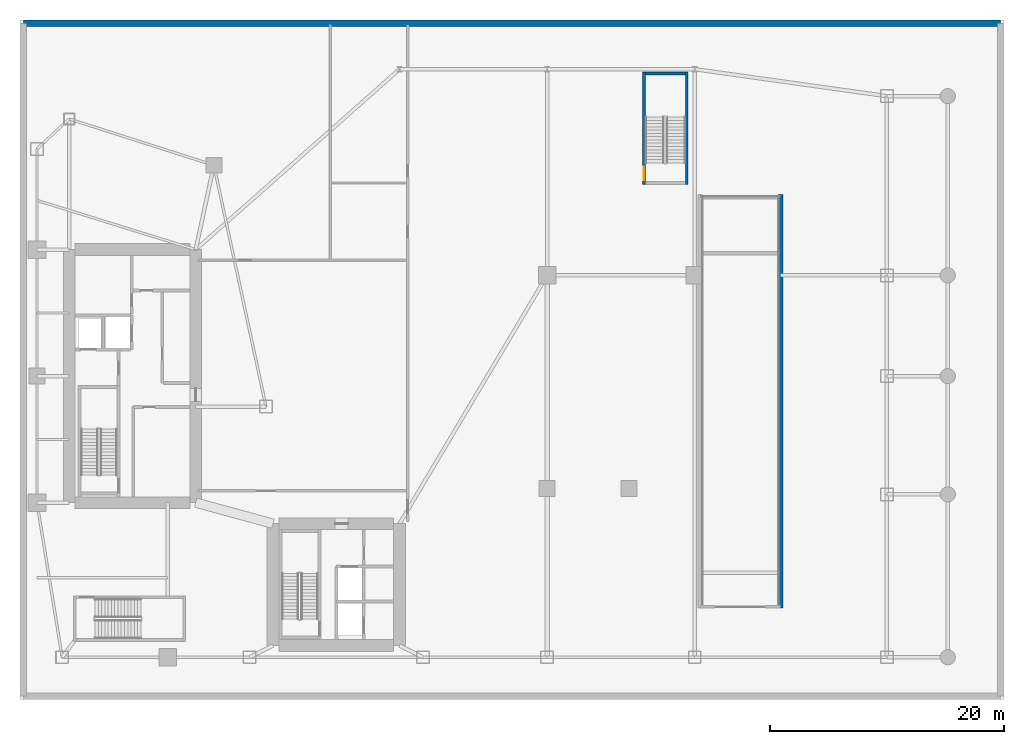
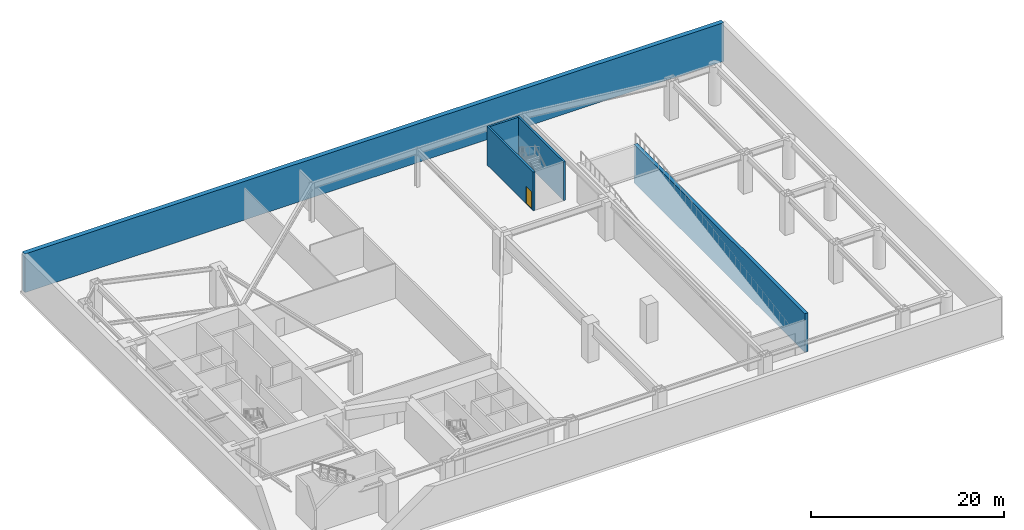
# One storey, part 8 of 13: 5 walls, 1 door, 1 opening.
"""IFC4 building model written with IfcOpenShell, lengths in metres."""

import ifcopenshell
import ifcopenshell.guid

model = None  # the IFC model being written
_history = None  # IfcOwnerHistory: only IFC2X3 demands one
_inside = {}  # id of a spatial element -> (the spatial element, [elements in it])
_under = {}  # id of a project, library or spatial element -> (it, [spatial elements below it])
_declared = {}  # id of a project -> (the project, [libraries it declares])
_typed = {}  # id of a type object -> (the type object, [elements of that type])
_made_of = {}  # id of a material, layer set ... -> (it, [elements and type objects made of it])


def new_model(schema):
    """Start an empty IFC model of exactly this schema.

    Asked for "IFC4X3", IfcOpenShell would pick the latest addendum, in which some entities
    have other attributes; the version numbers below select the first issue.
    IFC2X3 requires an IfcOwnerHistory on every rooted entity: one is made here for all.
    """
    global model, _history
    if schema == "IFC4X3":
        model = ifcopenshell.file(schema_version=(4, 3, 0, 0))
    else:
        model = ifcopenshell.file(schema=schema)
    _inside.clear()
    _under.clear()
    _declared.clear()
    _typed.clear()
    _made_of.clear()
    _history = None
    if model.schema == "IFC2X3":
        org = make("IfcOrganization", Name="unknown")
        user = make(
            "IfcPersonAndOrganization",
            ThePerson=make("IfcPerson", FamilyName="unknown"),
            TheOrganization=org,
        )
        app = make(
            "IfcApplication",
            ApplicationDeveloper=org,
            Version="unknown",
            ApplicationFullName="unknown",
            ApplicationIdentifier="unknown",
        )
        _history = make(
            "IfcOwnerHistory",
            OwningUser=user,
            OwningApplication=app,
            ChangeAction="ADDED",
            CreationDate=0,
        )
    return model


def make(cls, **values):
    """One entity of the class cls with the attributes given. An attribute that is None is left unset."""
    return model.create_entity(
        cls, **{name: value for name, value in values.items() if value is not None}
    )


def rooted(cls, **values):
    """An entity with a GlobalId (a new one), such as an element, a storey or a relation."""
    return make(cls, GlobalId=ifcopenshell.guid.new(), OwnerHistory=_history, **values)


def si_unit(unit_type, name, prefix=None):
    """IfcSIUnit, for example si_unit("LENGTHUNIT", "METRE", prefix="MILLI")."""
    return make("IfcSIUnit", UnitType=unit_type, Prefix=prefix, Name=name)


def assignment(units):
    """IfcUnitAssignment: the units of a project."""
    return None if units is None else make("IfcUnitAssignment", Units=units)


def point(xyz):
    """IfcCartesianPoint."""
    return None if xyz is None else make("IfcCartesianPoint", Coordinates=xyz)


def direction(xyz):
    """IfcDirection."""
    return None if xyz is None else make("IfcDirection", DirectionRatios=xyz)


def frame(location, z_axis=None, x_axis=None):
    """IfcAxis2Placement3D, a coordinate frame: its origin and axes. An axis left out is left unset."""
    return make(
        "IfcAxis2Placement3D",
        Location=point(location),
        Axis=direction(z_axis),
        RefDirection=direction(x_axis),
    )


def frame_2d(location, x_axis=None):
    """IfcAxis2Placement2D, a coordinate frame in the plane: its origin and x axis."""
    return make(
        "IfcAxis2Placement2D", Location=point(location), RefDirection=direction(x_axis)
    )


def origin():
    """The frame at (0, 0, 0) with its axes left unset."""
    return frame((0.0, 0.0, 0.0))


def place(relative_to, where):
    """IfcLocalPlacement: puts the frame where relative to a parent placement (None: the world)."""
    return make(
        "IfcLocalPlacement", PlacementRelTo=relative_to, RelativePlacement=where
    )


def context(
    kind, dimensions, precision=None, world=None, true_north=None, identifier=None
):
    """IfcGeometricRepresentationContext, for example the 3D "Model" context."""
    return make(
        "IfcGeometricRepresentationContext",
        ContextIdentifier=identifier,
        ContextType=kind,
        CoordinateSpaceDimension=dimensions,
        Precision=precision,
        WorldCoordinateSystem=world,
        TrueNorth=true_north,
    )


def subcontext(parent, identifier, kind, view, scale=None):
    """IfcGeometricRepresentationSubContext, for example "Body" below "Model"."""
    return make(
        "IfcGeometricRepresentationSubContext",
        ContextIdentifier=identifier,
        ContextType=kind,
        ParentContext=parent,
        TargetScale=scale,
        TargetView=view,
    )


def project(units=None, contexts=None):
    """IfcProject with its units and contexts."""
    return rooted(
        "IfcProject",
        Name="project",
        RepresentationContexts=contexts,
        UnitsInContext=assignment(units),
    )


def spatial(cls, under=None, at=None, **own):
    """A site, building, storey or space (cls), placed at a placement, below another one or the project."""
    s = rooted(cls, ObjectPlacement=at, **own)
    if under is not None:
        _under.setdefault(under.id(), (under, []))[1].append(s)
    return s


def profile(cls, at=None, kind="AREA", **sizes):
    """A parametric profile (cls). Its sizes go by their IFC names, for example OverallWidth=200.0."""
    return make(cls, ProfileType=kind, Position=at, **sizes)


def rectangle(**sizes):
    """IfcRectangleProfileDef."""
    return profile("IfcRectangleProfileDef", **sizes)


def extrude(swept, where, along, depth):
    """IfcExtrudedAreaSolid: the profile swept, set in the frame where, extruded along a direction by depth."""
    return make(
        "IfcExtrudedAreaSolid",
        SweptArea=swept,
        Position=where,
        ExtrudedDirection=direction(along),
        Depth=depth,
    )


def shape(context_of_items, identifier, shape_type, items):
    """IfcShapeRepresentation: the items that make up one representation, for example the "Body"."""
    return make(
        "IfcShapeRepresentation",
        ContextOfItems=context_of_items,
        RepresentationIdentifier=identifier,
        RepresentationType=shape_type,
        Items=items,
    )


def material(Name=None, Category=None):
    """IfcMaterial."""
    return make("IfcMaterial", Name=Name, Category=Category)


def layer(
    of_material, thickness, ventilated=None, Name=None, Category=None, Priority=None
):
    """IfcMaterialLayer: one layer of a wall or slab, of a material (None: an air gap)."""
    return make(
        "IfcMaterialLayer",
        Material=of_material,
        LayerThickness=thickness,
        IsVentilated=ventilated,
        Name=Name,
        Category=Category,
        Priority=Priority,
    )


def layer_set(layers, Name=None):
    """IfcMaterialLayerSet."""
    return make("IfcMaterialLayerSet", MaterialLayers=layers, LayerSetName=Name)


def made_of(thing, what):
    """Note that an element or type object is made of a material, layer set ...; save() writes the relation."""
    if what is not None:
        _made_of.setdefault(what.id(), (what, []))[1].append(thing)
    return thing


def type_object(cls, material=None, **own):
    """A type object (cls), such as IfcWallType, which elements share."""
    return made_of(rooted(cls, **own), material)


def element(
    cls,
    number,
    at=None,
    inside=None,
    cuts=None,
    type_object=None,
    material=None,
    context=None,
    identifier="Body",
    shape_type=None,
    held_by="IfcProductDefinitionShape",
    body=None,
    shapes=None,
    **own,
):
    """One element of the class cls, such as IfcWall. Its Tag is "e" and its number.

    at: its placement. inside: the storey or other place that contains it. cuts: it is an
    opening in that element (IfcRelVoidsElement). A single representation is given by context,
    identifier, shape_type and body (its items); several are given by shapes. held_by: the class
    of the entity that holds the representations. save() writes the other relations.
    """
    e = rooted(cls, Tag="e%d" % number, ObjectPlacement=at, **own)
    if body is not None:
        shapes = [shape(context, identifier, shape_type, body)]
    if shapes is not None:
        e.Representation = make(held_by, Representations=shapes)
    if inside is not None:
        _inside.setdefault(inside.id(), (inside, []))[1].append(e)
    if cuts is not None:
        rooted(
            "IfcRelVoidsElement", RelatingBuildingElement=cuts, RelatedOpeningElement=e
        )
    if type_object is not None:
        _typed.setdefault(type_object.id(), (type_object, []))[1].append(e)
    return made_of(e, material)


def fill(opening, filler):
    """IfcRelFillsElement: the door or window that sits in an opening."""
    return rooted(
        "IfcRelFillsElement",
        RelatingOpeningElement=opening,
        RelatedBuildingElement=filler,
    )


def aggregate(whole, parts):
    """IfcRelAggregates: a whole, such as a stair, and the parts it consists of."""
    return rooted("IfcRelAggregates", RelatingObject=whole, RelatedObjects=parts)


def save(model, path):
    """Write the relations noted so far, then the file.

    IfcRelAggregates (storeys below a building ...), IfcRelContainedInSpatialStructure (elements
    in a storey), IfcRelDefinesByType, IfcRelAssociatesMaterial and IfcRelDeclares: one each for
    every whole, place, type object, material and project.
    """
    for whole, parts in _under.values():
        aggregate(whole, parts)
    for where, things in _inside.values():
        rooted(
            "IfcRelContainedInSpatialStructure",
            RelatedElements=things,
            RelatingStructure=where,
        )
    for kind, things in _typed.values():
        rooted("IfcRelDefinesByType", RelatedObjects=things, RelatingType=kind)
    for what, things in _made_of.values():
        rooted("IfcRelAssociatesMaterial", RelatedObjects=things, RelatingMaterial=what)
    for by, libraries in _declared.values():
        rooted("IfcRelDeclares", RelatingContext=by, RelatedDefinitions=libraries)
    model.write(path)


model = new_model("IFC4")

# Units and contexts
model_context = context("Model", 3, precision=1e-05, world=origin(), true_north=direction((0.0, 1.0)))
body_context = subcontext(model_context, "Body", "Model", "MODEL_VIEW")
ifc_project = project(units=[si_unit("LENGTHUNIT", "METRE"), si_unit("AREAUNIT", "SQUARE_METRE"), si_unit("VOLUMEUNIT", "CUBIC_METRE"), si_unit("PLANEANGLEUNIT", "RADIAN"), si_unit("MASSUNIT", "GRAM", prefix="KILO")], contexts=[model_context])

# Site, building, storey
site_placement = place(None, origin())
site = spatial("IfcSite", under=ifc_project, at=site_placement, CompositionType="ELEMENT")
building_placement = place(site_placement, origin())
building = spatial("IfcBuilding", under=site, at=building_placement, Name="Calvorn Quay Hotel", CompositionType="ELEMENT")
storey_placement = place(building_placement, frame((0.0, 0.0, -5.199951171875)))
storey = spatial("IfcBuildingStorey", under=building, at=storey_placement, Name="B1", CompositionType="ELEMENT", Elevation=-5.199951171875)

# Walls
ifc_material_1 = material(Name="Concrete C45", Category="concrete")
ifc_layer_1 = layer(ifc_material_1, 0.550048828125)
ifc_layer_set_1 = layer_set([ifc_layer_1], Name="WL-BSM-RET-550")
wall_type_1 = type_object("IfcWallType", Name="WL-BSM-RET-550", PredefinedType="USERDEFINED", material=ifc_layer_set_1)
wall_1_placement = place(storey_placement, frame((83.719970703125, 57.719970703125, 0.0), z_axis=(0.0, 0.0, 1.0), x_axis=(-1.0, 0.0, 0.0)))
element("IfcWall", 1, at=wall_1_placement, inside=storey, type_object=wall_type_1, Name="B1 Retaining Wall N", ObjectType="RETAINING", PredefinedType="USERDEFINED", context=body_context, shape_type="SweptSolid", body=[
    extrude(rectangle(XDim=83.43994140625, YDim=0.550048828125, at=frame_2d((41.719970703125, 0.0))), origin(), (0.0, 0.0, 1.0), 4.8798828125),
])
wall_2_placement = place(storey_placement, frame((64.919921875, 7.800048828125, 0.0), z_axis=(0.0, 0.0, 1.0), x_axis=(0.0, 1.0, 0.0)))
element("IfcWall", 2, at=wall_2_placement, inside=storey, type_object=wall_type_1, Name="Vehicle Ramp Cheek Wall B1-E", ObjectType="RETAINING", PredefinedType="USERDEFINED", context=body_context, shape_type="SweptSolid", body=[
    extrude(rectangle(XDim=35.300048828125, YDim=0.39990234375, at=frame_2d((17.64990234375, 0.0))), origin(), (0.0, 0.0, 1.0), 4.8798828125),
])

# Wall, opening, door
ifc_material_2 = material(Name="Concrete C40", Category="concrete")
ifc_layer_2 = layer(ifc_material_2, 0.239990234375)
ifc_layer_set_2 = layer_set([ifc_layer_2], Name="WL-SHAFT-240")
wall_type_2 = type_object("IfcWallType", Name="WL-SHAFT-240", PredefinedType="SOLIDWALL", material=ifc_layer_set_2)
wall_3_placement = place(storey_placement, frame((53.280029296875, 43.9599609375, 0.0), z_axis=(0.0, 0.0, 1.0), x_axis=(0.0, 1.0, 0.0)))
wall_3 = element("IfcWall", 3, at=wall_3_placement, inside=storey, type_object=wall_type_2, Name="Stair STP1 Shaft Wall W (B1)", PredefinedType="SOLIDWALL", context=body_context, shape_type="SweptSolid", body=[
    extrude(rectangle(XDim=9.580078125, YDim=0.239990234375, at=frame_2d((4.7900390625, 0.0))), origin(), (0.0, 0.0, 1.0), 4.8798828125),
])
opening_placement = place(wall_3_placement, frame((0.35009765625, 0.0, 0.0)))
opening = element("IfcOpeningElement", 4, at=opening_placement, cuts=wall_3, Name="Opening D-B1-STP1", PredefinedType="OPENING", context=body_context, shape_type="SweptSolid", body=[
    extrude(rectangle(XDim=1.14990234375, YDim=2.199951171875, at=frame_2d((0.574951171875, 1.10009765625))), frame((0.0, 0.1298828125, 0.0), z_axis=(0.0, -1.0, 0.0), x_axis=(1.0, 0.0, 0.0)), (0.0, 0.0, 1.0), 0.260009765625),
])
ifc_material_3 = material(Name="Galvanised Steel Class A Fire Door", Category="steel")
door_type = type_object("IfcDoorType", Name="DR-STAIR-SMOKE-1150", OperationType="NOTDEFINED", PredefinedType="DOOR", material=ifc_material_3)
door_placement = place(opening_placement, origin())
door = element("IfcDoor", 5, at=door_placement, inside=storey, type_object=door_type, Name="Podium Stair ST-P1 Fire Door (B1)", OperationType="SINGLE_SWING_LEFT", OverallHeight=2.199951171875, OverallWidth=1.14990234375, PredefinedType="DOOR", context=body_context, shape_type="SweptSolid", body=[
    extrude(rectangle(XDim=1.14990234375, YDim=2.199951171875, at=frame_2d((0.574951171875, 1.10009765625))), frame((0.0, 0.02490234375, 0.0), z_axis=(0.0, -1.0, 0.0), x_axis=(1.0, 0.0, 0.0)), (0.0, 0.0, 1.0), 0.050048828125),
])
fill(opening, door)

# Walls
wall_4_placement = place(storey_placement, frame((56.919921875, 43.9599609375, 0.0), z_axis=(0.0, 0.0, 1.0), x_axis=(0.0, 1.0, 0.0)))
element("IfcWall", 6, at=wall_4_placement, inside=storey, type_object=wall_type_2, Name="Stair STP1 Shaft Wall E (B1)", PredefinedType="SOLIDWALL", context=body_context, shape_type="SweptSolid", body=[
    extrude(rectangle(XDim=9.580078125, YDim=0.239990234375, at=frame_2d((4.7900390625, 0.0))), origin(), (0.0, 0.0, 1.0), 4.8798828125),
])
wall_5_placement = place(storey_placement, frame((53.39990234375, 53.419921875, 0.0), z_axis=(0.0, 0.0, 1.0), x_axis=(1.0, 0.0, 0.0)))
element("IfcWall", 7, at=wall_5_placement, inside=storey, type_object=wall_type_2, Name="Stair STP1 Shaft Wall N (B1)", PredefinedType="SOLIDWALL", context=body_context, shape_type="SweptSolid", body=[
    extrude(rectangle(XDim=3.400146484375, YDim=0.239990234375, at=frame_2d((1.7001953125, 0.0))), origin(), (0.0, 0.0, 1.0), 4.8798828125),
])

save(model, "model.ifc")
